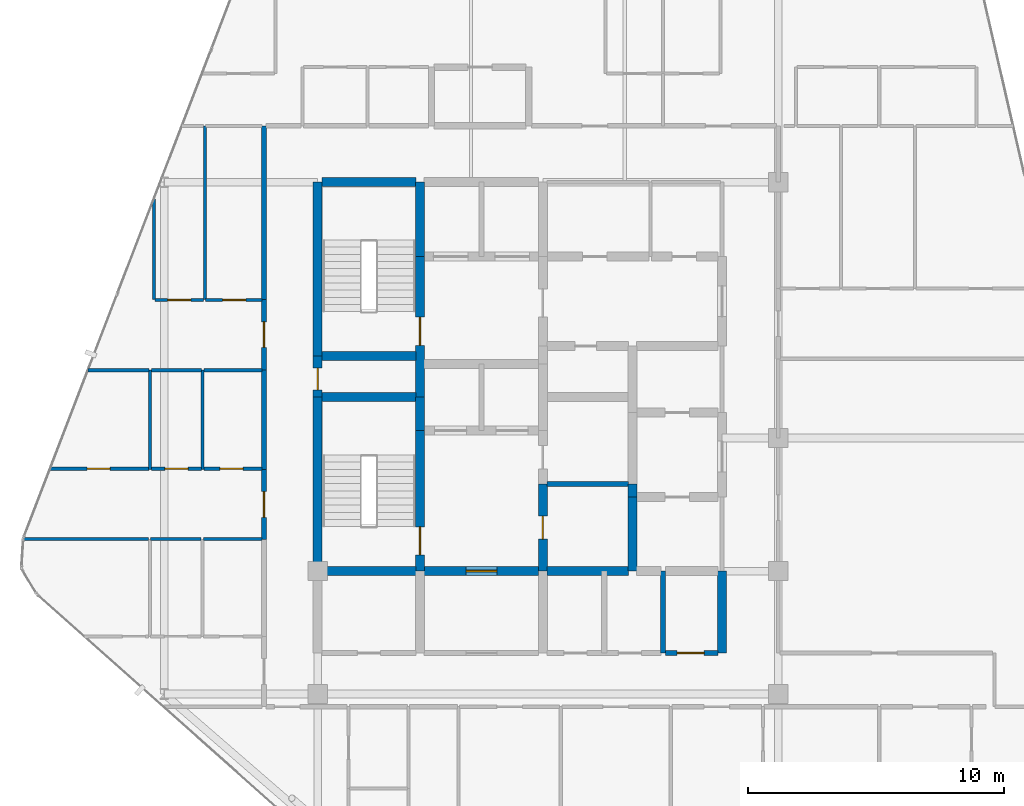
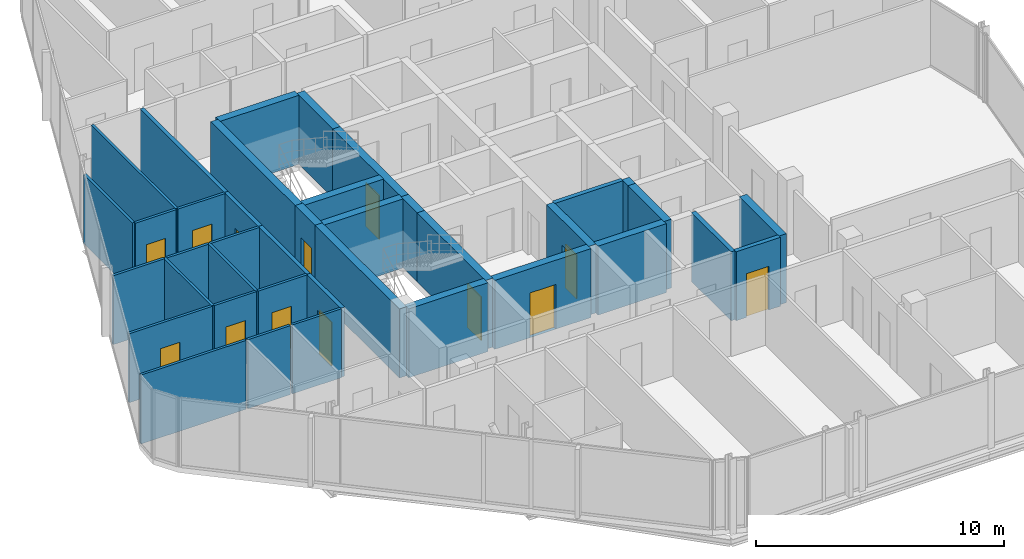
# One storey, part 23 of 27: 39 walls, 13 doors, 13 openings.
"""IFC4 building model written with IfcOpenShell, lengths in metres."""

from ifc_helpers import new_model, si_unit, direction, frame, frame_2d, origin, place, context, subcontext, project, spatial, rectangle, extrude, material, layer, layer_set, type_object, element, fill, save


model = new_model("IFC4")

# Units and contexts
model_context = context("Model", 3, precision=1e-05, world=origin(), true_north=direction((0.0, 1.0)))
body_context = subcontext(model_context, "Body", "Model", "MODEL_VIEW")
ifc_project = project(units=[si_unit("LENGTHUNIT", "METRE"), si_unit("AREAUNIT", "SQUARE_METRE"), si_unit("VOLUMEUNIT", "CUBIC_METRE"), si_unit("PLANEANGLEUNIT", "RADIAN"), si_unit("MASSUNIT", "GRAM", prefix="KILO")], contexts=[model_context])

# Site, building, storey
site_placement = place(None, origin())
site = spatial("IfcSite", under=ifc_project, at=site_placement, CompositionType="ELEMENT")
building_placement = place(site_placement, origin())
building = spatial("IfcBuilding", under=site, at=building_placement, Name="Keshet Zoharim Tower", CompositionType="ELEMENT")
storey_placement = place(building_placement, frame((0.0, 0.0, 273.199951171875)))
storey = spatial("IfcBuildingStorey", under=building, at=storey_placement, Name="L68", CompositionType="ELEMENT", Elevation=273.199951171875)

# Wall
ifc_material_1 = material(Name="Concrete C60/75", Category="concrete")
ifc_layer_1 = layer(ifc_material_1, 0.35009765625)
ifc_layer_set_1 = layer_set([ifc_layer_1], Name="Concrete C60/75")
wall_type_1 = type_object("IfcWallType", Name="WL-CORE-350", PredefinedType="SHEAR", material=ifc_layer_set_1)
wall_1_placement = place(storey_placement, frame((15.0, 22.699951171875, 0.0), z_axis=(0.0, 0.0, 1.0), x_axis=(0.0, 1.0, 0.0)))
element("IfcWall", 1, at=wall_1_placement, inside=storey, type_object=wall_type_1, Name="L68 Core Shear Wall 017", PredefinedType="SHEAR", context=body_context, shape_type="SweptSolid", body=[
    extrude(rectangle(XDim=6.800048828125, YDim=0.35009765625, at=frame_2d((3.39990234375, 0.0))), origin(), (0.0, 0.0, 1.0), 3.39013671875),
])

# Wall, opening, door
wall_2_placement = place(storey_placement, frame((15.0, 29.5, 0.0), z_axis=(0.0, 0.0, 1.0), x_axis=(0.0, 1.0, 0.0)))
wall_2 = element("IfcWall", 2, at=wall_2_placement, inside=storey, type_object=wall_type_1, Name="L68 Core Shear Wall 018", PredefinedType="SHEAR", context=body_context, shape_type="SweptSolid", body=[
    extrude(rectangle(XDim=1.60009765625, YDim=0.35009765625, at=frame_2d((0.800048828125, 0.0))), origin(), (0.0, 0.0, 1.0), 3.39013671875),
])
opening_1_placement = place(wall_2_placement, frame((0.287109375, 0.0, 0.0)))
opening_1 = element("IfcOpeningElement", 3, at=opening_1_placement, cuts=wall_2, Name="Opening D-RS85", PredefinedType="OPENING", context=body_context, shape_type="SweptSolid", body=[
    extrude(rectangle(XDim=0.85009765625, YDim=2.10009765625, at=frame_2d((0.425048828125, 1.050048828125))), frame((0.0, 0.18505859375, 0.0), z_axis=(0.0, -1.0, 0.0), x_axis=(1.0, 0.0, 0.0)), (0.0, 0.0, 1.0), 0.3701171875),
])
ifc_material_2 = material(Name="Hardwood Timber", Category="wood")
door_type_1 = type_object("IfcDoorType", Name="DR-RIS-085", OperationType="NOTDEFINED", PredefinedType="DOOR", material=ifc_material_2)
door_1_placement = place(opening_1_placement, origin())
door_1 = element("IfcDoor", 4, at=door_1_placement, inside=storey, type_object=door_type_1, Name="L68 Electrical Riser Access Cupboard Door", OperationType="SINGLE_SWING_LEFT", OverallHeight=2.10009765625, OverallWidth=0.85009765625, PredefinedType="DOOR", context=body_context, shape_type="SweptSolid", body=[
    extrude(rectangle(XDim=0.85009765625, YDim=2.10009765625, at=frame_2d((0.425048828125, 1.050048828125))), frame((0.0, 0.02490234375, 0.0), z_axis=(0.0, -1.0, 0.0), x_axis=(1.0, 0.0, 0.0)), (0.0, 0.0, 1.0), 0.050048828125),
])
fill(opening_1, door_1)

# Wall
wall_3_placement = place(storey_placement, frame((15.0, 31.10009765625, 0.0), z_axis=(0.0, 0.0, 1.0), x_axis=(0.0, 1.0, 0.0)))
element("IfcWall", 5, at=wall_3_placement, inside=storey, type_object=wall_type_1, Name="L68 Core Shear Wall 019", PredefinedType="SHEAR", context=body_context, shape_type="SweptSolid", body=[
    extrude(rectangle(XDim=6.7998046875, YDim=0.35009765625, at=frame_2d((3.39990234375, 0.0))), origin(), (0.0, 0.0, 1.0), 3.39013671875),
])

# Wall, opening, door
wall_4_placement = place(storey_placement, frame((19.0, 22.699951171875, 0.0), z_axis=(0.0, 0.0, 1.0), x_axis=(0.0, 1.0, 0.0)))
wall_4 = element("IfcWall", 6, at=wall_4_placement, inside=storey, type_object=wall_type_1, Name="L68 Core Shear Wall 027", PredefinedType="SHEAR", context=body_context, shape_type="SweptSolid", body=[
    extrude(rectangle(XDim=5.5, YDim=0.35009765625, at=frame_2d((2.75, 0.0))), origin(), (0.0, 0.0, 1.0), 3.39013671875),
])
opening_2_placement = place(wall_4_placement, frame((0.631103515625, 0.0, 0.0)))
opening_2 = element("IfcOpeningElement", 7, at=opening_2_placement, cuts=wall_4, Name="Opening D-F611", PredefinedType="OPENING", context=body_context, shape_type="SweptSolid", body=[
    extrude(rectangle(XDim=1.10009765625, YDim=2.14990234375, at=frame_2d((0.550048828125, 1.074951171875))), frame((0.0, 0.18505859375, 0.0), z_axis=(0.0, -1.0, 0.0), x_axis=(1.0, 0.0, 0.0)), (0.0, 0.0, 1.0), 0.3701171875),
])
door_type_2 = type_object("IfcDoorType", Name="DR-FD60-110", OperationType="NOTDEFINED", PredefinedType="DOOR", material=ifc_material_2)
door_2_placement = place(opening_2_placement, origin())
door_2 = element("IfcDoor", 8, at=door_2_placement, inside=storey, type_object=door_type_2, Name="L68 Exit Stair ST-01 Fire Door", OperationType="SINGLE_SWING_RIGHT", OverallHeight=2.14990234375, OverallWidth=1.10009765625, PredefinedType="DOOR", context=body_context, shape_type="SweptSolid", body=[
    extrude(rectangle(XDim=1.10009765625, YDim=2.14990234375, at=frame_2d((0.550048828125, 1.074951171875))), frame((0.0, 0.02490234375, 0.0), z_axis=(0.0, -1.0, 0.0), x_axis=(1.0, 0.0, 0.0)), (0.0, 0.0, 1.0), 0.050048828125),
])
fill(opening_2, door_2)

# Wall
wall_5_placement = place(storey_placement, frame((19.0, 28.199951171875, 0.0), z_axis=(0.0, 0.0, 1.0), x_axis=(0.0, 1.0, 0.0)))
element("IfcWall", 9, at=wall_5_placement, inside=storey, type_object=wall_type_1, Name="L68 Core Shear Wall 028", PredefinedType="SHEAR", context=body_context, shape_type="SweptSolid", body=[
    extrude(rectangle(XDim=1.300048828125, YDim=0.35009765625, at=frame_2d((0.64990234375, 0.0))), origin(), (0.0, 0.0, 1.0), 3.39013671875),
])

# Wall, opening, door
wall_6_placement = place(storey_placement, frame((19.0, 29.5, 0.0), z_axis=(0.0, 0.0, 1.0), x_axis=(0.0, 1.0, 0.0)))
wall_6 = element("IfcWall", 10, at=wall_6_placement, inside=storey, type_object=wall_type_1, Name="L68 Core Shear Wall 029", PredefinedType="SHEAR", context=body_context, shape_type="SweptSolid", body=[
    extrude(rectangle(XDim=5.5, YDim=0.35009765625, at=frame_2d((2.75, 0.0))), origin(), (0.0, 0.0, 1.0), 3.39013671875),
])
opening_3_placement = place(wall_6_placement, frame((2.02490234375, 0.0, 0.0)))
opening_3 = element("IfcOpeningElement", 11, at=opening_3_placement, cuts=wall_6, Name="Opening D-F611", PredefinedType="OPENING", context=body_context, shape_type="SweptSolid", body=[
    extrude(rectangle(XDim=1.10009765625, YDim=2.14990234375, at=frame_2d((0.550048828125, 1.074951171875))), frame((0.0, 0.18505859375, 0.0), z_axis=(0.0, -1.0, 0.0), x_axis=(1.0, 0.0, 0.0)), (0.0, 0.0, 1.0), 0.3701171875),
])
door_3_placement = place(opening_3_placement, origin())
door_3 = element("IfcDoor", 12, at=door_3_placement, inside=storey, type_object=door_type_2, Name="L68 Exit Stair ST-02 Fire Door", OperationType="SINGLE_SWING_LEFT", OverallHeight=2.14990234375, OverallWidth=1.10009765625, PredefinedType="DOOR", context=body_context, shape_type="SweptSolid", body=[
    extrude(rectangle(XDim=1.10009765625, YDim=2.14990234375, at=frame_2d((0.550048828125, 1.074951171875))), frame((0.0, 0.02490234375, 0.0), z_axis=(0.0, -1.0, 0.0), x_axis=(1.0, 0.0, 0.0)), (0.0, 0.0, 1.0), 0.050048828125),
])
fill(opening_3, door_3)

# Wall
wall_7_placement = place(storey_placement, frame((19.0, 35.0, 0.0), z_axis=(0.0, 0.0, 1.0), x_axis=(0.0, 1.0, 0.0)))
element("IfcWall", 13, at=wall_7_placement, inside=storey, type_object=wall_type_1, Name="L68 Core Shear Wall 030", PredefinedType="SHEAR", context=body_context, shape_type="SweptSolid", body=[
    extrude(rectangle(XDim=2.89990234375, YDim=0.35009765625, at=frame_2d((1.449951171875, 0.0))), origin(), (0.0, 0.0, 1.0), 3.39013671875),
])

# Wall, opening, door
wall_8_placement = place(storey_placement, frame((23.800048828125, 22.699951171875, 0.0), z_axis=(0.0, 0.0, 1.0), x_axis=(0.0, 1.0, 0.0)))
wall_8 = element("IfcWall", 14, at=wall_8_placement, inside=storey, type_object=wall_type_1, Name="L68 Core Shear Wall 040", PredefinedType="SHEAR", context=body_context, shape_type="SweptSolid", body=[
    extrude(rectangle(XDim=3.400146484375, YDim=0.35009765625, at=frame_2d((1.7001953125, 0.0))), origin(), (0.0, 0.0, 1.0), 3.39013671875),
])
opening_4_placement = place(wall_8_placement, frame((1.25, 0.0, 0.0)))
opening_4 = element("IfcOpeningElement", 15, at=opening_4_placement, cuts=wall_8, Name="Opening D-F690", PredefinedType="OPENING", context=body_context, shape_type="SweptSolid", body=[
    extrude(rectangle(XDim=0.89990234375, YDim=2.14990234375, at=frame_2d((0.449951171875, 1.074951171875))), frame((0.0, 0.18505859375, 0.0), z_axis=(0.0, -1.0, 0.0), x_axis=(1.0, 0.0, 0.0)), (0.0, 0.0, 1.0), 0.3701171875),
])
door_type_3 = type_object("IfcDoorType", Name="DR-FD60-090", OperationType="NOTDEFINED", PredefinedType="DOOR", material=ifc_material_2)
door_4_placement = place(opening_4_placement, origin())
door_4 = element("IfcDoor", 16, at=door_4_placement, inside=storey, type_object=door_type_3, Name="L68 Core Linen Store Door", OperationType="SINGLE_SWING_RIGHT", OverallHeight=2.14990234375, OverallWidth=0.89990234375, PredefinedType="DOOR", context=body_context, shape_type="SweptSolid", body=[
    extrude(rectangle(XDim=0.89990234375, YDim=2.14990234375, at=frame_2d((0.449951171875, 1.074951171875))), frame((0.0, 0.02490234375, 0.0), z_axis=(0.0, -1.0, 0.0), x_axis=(1.0, 0.0, 0.0)), (0.0, 0.0, 1.0), 0.050048828125),
])
fill(opening_4, door_4)

# Walls
wall_9_placement = place(storey_placement, frame((27.300048828125, 22.699951171875, 0.0), z_axis=(0.0, 0.0, 1.0), x_axis=(0.0, 1.0, 0.0)))
element("IfcWall", 17, at=wall_9_placement, inside=storey, type_object=wall_type_1, Name="L68 Core Shear Wall 049", PredefinedType="SHEAR", context=body_context, shape_type="SweptSolid", body=[
    extrude(rectangle(XDim=2.900146484375, YDim=0.35009765625, at=frame_2d((1.4501953125, 0.0))), origin(), (0.0, 0.0, 1.0), 3.39013671875),
])
wall_10_placement = place(storey_placement, frame((27.300048828125, 25.60009765625, 0.0), z_axis=(0.0, 0.0, 1.0), x_axis=(0.0, 1.0, 0.0)))
element("IfcWall", 18, at=wall_10_placement, inside=storey, type_object=wall_type_1, Name="L68 Core Shear Wall 050", PredefinedType="SHEAR", context=body_context, shape_type="SweptSolid", body=[
    extrude(rectangle(XDim=0.5, YDim=0.35009765625, at=frame_2d((0.25, 0.0))), origin(), (0.0, 0.0, 1.0), 3.39013671875),
])
wall_11_placement = place(storey_placement, frame((30.800048828125, 19.5, 0.0), z_axis=(0.0, 0.0, 1.0), x_axis=(0.0, 1.0, 0.0)))
element("IfcWall", 19, at=wall_11_placement, inside=storey, type_object=wall_type_1, Name="L68 Core Shear Wall 059", PredefinedType="SHEAR", context=body_context, shape_type="SweptSolid", body=[
    extrude(rectangle(XDim=3.199951171875, YDim=0.35009765625, at=frame_2d((1.60009765625, 0.0))), origin(), (0.0, 0.0, 1.0), 3.39013671875),
])
wall_12_placement = place(storey_placement, frame((15.159912109375, 22.699951171875, 0.0), z_axis=(0.0, 0.0, 1.0), x_axis=(1.0, 0.0, 0.0)))
element("IfcWall", 20, at=wall_12_placement, inside=storey, type_object=wall_type_1, Name="L68 Core Shear Wall 111", PredefinedType="SHEAR", context=body_context, shape_type="SweptSolid", body=[
    extrude(rectangle(XDim=3.68017578125, YDim=0.35009765625, at=frame_2d((1.840087890625, 0.0))), origin(), (0.0, 0.0, 1.0), 3.39013671875),
])

# Wall, opening, door
wall_13_placement = place(storey_placement, frame((19.159912109375, 22.699951171875, 0.0), z_axis=(0.0, 0.0, 1.0), x_axis=(1.0, 0.0, 0.0)))
wall_13 = element("IfcWall", 21, at=wall_13_placement, inside=storey, type_object=wall_type_1, Name="L68 Core Shear Wall 112", PredefinedType="SHEAR", context=body_context, shape_type="SweptSolid", body=[
    extrude(rectangle(XDim=4.47998046875, YDim=0.35009765625, at=frame_2d((2.239990234375, 0.0))), origin(), (0.0, 0.0, 1.0), 3.39013671875),
])
opening_5_placement = place(wall_13_placement, frame((1.639892578125, 0.0, 0.0)))
opening_5 = element("IfcOpeningElement", 22, at=opening_5_placement, cuts=wall_13, Name="Opening D-F612", PredefinedType="OPENING", context=body_context, shape_type="SweptSolid", body=[
    extrude(rectangle(XDim=1.199951171875, YDim=2.199951171875, at=frame_2d((0.60009765625, 1.10009765625))), frame((0.0, 0.18505859375, 0.0), z_axis=(0.0, -1.0, 0.0), x_axis=(1.0, 0.0, 0.0)), (0.0, 0.0, 1.0), 0.3701171875),
])
door_type_4 = type_object("IfcDoorType", Name="DR-FD60-120", OperationType="NOTDEFINED", PredefinedType="DOOR", material=ifc_material_2)
door_5_placement = place(opening_5_placement, origin())
door_5 = element("IfcDoor", 23, at=door_5_placement, inside=storey, type_object=door_type_4, Name="L68 South Core Lobby Fire Door", OperationType="SINGLE_SWING_LEFT", OverallHeight=2.199951171875, OverallWidth=1.199951171875, PredefinedType="DOOR", context=body_context, shape_type="SweptSolid", body=[
    extrude(rectangle(XDim=1.199951171875, YDim=2.199951171875, at=frame_2d((0.60009765625, 1.10009765625))), frame((0.0, 0.02490234375, 0.0), z_axis=(0.0, -1.0, 0.0), x_axis=(1.0, 0.0, 0.0)), (0.0, 0.0, 1.0), 0.050048828125),
])
fill(opening_5, door_5)

# Walls
wall_14_placement = place(storey_placement, frame((23.9599609375, 22.699951171875, 0.0), z_axis=(0.0, 0.0, 1.0), x_axis=(1.0, 0.0, 0.0)))
element("IfcWall", 24, at=wall_14_placement, inside=storey, type_object=wall_type_1, Name="L68 Core Shear Wall 113", PredefinedType="SHEAR", context=body_context, shape_type="SweptSolid", body=[
    extrude(rectangle(XDim=3.179931640625, YDim=0.35009765625, at=frame_2d((1.58984375, 0.0))), origin(), (0.0, 0.0, 1.0), 3.39013671875),
])
for number, where, z_axis, x_axis, name in (
    (25, (15.159912109375, 29.5, 0.0), (0.0, 0.0, 1.0), (1.0, 0.0, 0.0), "L68 Core Shear Wall 126"),
    (26, (15.159912109375, 31.10009765625, 0.0), (0.0, 0.0, 1.0), (1.0, 0.0, 0.0), "L68 Core Shear Wall 133"),
    (27, (15.159912109375, 37.89990234375, 0.0), (0.0, 0.0, 1.0), (1.0, 0.0, 0.0), "L68 Core Shear Wall 144"),
):
    element("IfcWall", number, at=place(storey_placement, frame(where, z_axis=z_axis, x_axis=x_axis)), inside=storey, type_object=wall_type_1, Name=name, PredefinedType="SHEAR", context=body_context, shape_type="SweptSolid", body=[
        extrude(rectangle(XDim=3.68017578125, YDim=0.35009765625, at=frame_2d((1.840087890625, 0.0))), origin(), (0.0, 0.0, 1.0), 3.39013671875),
    ])

# Wall, opening, door
ifc_material_3 = material(Name="Gypsum Plasterboard", Category="gypsum")
ifc_layer_2 = layer(ifc_material_3, 0.179931640625)
ifc_layer_set_2 = layer_set([ifc_layer_2], Name="Gypsum Plasterboard")
wall_type_2 = type_object("IfcWallType", Name="WL-CORR-180", PredefinedType="STANDARD", material=ifc_layer_set_2)
wall_15_placement = place(storey_placement, frame((12.89990234375, 23.929931640625, 0.0), z_axis=(0.0, 0.0, 1.0), x_axis=(0.0, 1.0, 0.0)))
wall_15 = element("IfcWall", 28, at=wall_15_placement, inside=storey, type_object=wall_type_2, Name="L68 Interior Wall 009", PredefinedType="STANDARD", context=body_context, shape_type="SweptSolid", body=[
    extrude(rectangle(XDim=2.75, YDim=0.179931640625, at=frame_2d((1.375, 0.0))), origin(), (0.0, 0.0, 1.0), 3.39013671875),
])
opening_6_placement = place(wall_15_placement, frame((0.875, 0.0, 0.0)))
opening_6 = element("IfcOpeningElement", 29, at=opening_6_placement, cuts=wall_15, Name="Opening D-F310", PredefinedType="OPENING", context=body_context, shape_type="SweptSolid", body=[
    extrude(rectangle(XDim=1.0, YDim=2.14990234375, at=frame_2d((0.5, 1.074951171875))), frame((0.0, 0.10009765625, 0.0), z_axis=(0.0, -1.0, 0.0), x_axis=(1.0, 0.0, 0.0)), (0.0, 0.0, 1.0), 0.199951171875),
])
door_type_5 = type_object("IfcDoorType", Name="DR-FD30-100", OperationType="NOTDEFINED", PredefinedType="DOOR", material=ifc_material_2)
door_6_placement = place(opening_6_placement, origin())
door_6 = element("IfcDoor", 30, at=door_6_placement, inside=storey, type_object=door_type_5, Name="Apartment 6807 Entrance Door", OperationType="SINGLE_SWING_LEFT", OverallHeight=2.14990234375, OverallWidth=1.0, PredefinedType="DOOR", context=body_context, shape_type="SweptSolid", body=[
    extrude(rectangle(XDim=1.0, YDim=2.14990234375, at=frame_2d((0.5, 1.074951171875))), frame((0.0, 0.02490234375, 0.0), z_axis=(0.0, -1.0, 0.0), x_axis=(1.0, 0.0, 0.0)), (0.0, 0.0, 1.0), 0.050048828125),
])
fill(opening_6, door_6)

# Wall
wall_16_placement = place(storey_placement, frame((12.89990234375, 26.679931640625, 0.0), z_axis=(0.0, 0.0, 1.0), x_axis=(0.0, 1.0, 0.0)))
element("IfcWall", 31, at=wall_16_placement, inside=storey, type_object=wall_type_2, Name="L68 Interior Wall 010", PredefinedType="STANDARD", context=body_context, shape_type="SweptSolid", body=[
    extrude(rectangle(XDim=3.89013671875, YDim=0.179931640625, at=frame_2d((1.945068359375, 0.0))), origin(), (0.0, 0.0, 1.0), 3.39013671875),
])

# Wall, opening, door
wall_17_placement = place(storey_placement, frame((12.89990234375, 30.570068359375, 0.0), z_axis=(0.0, 0.0, 1.0), x_axis=(0.0, 1.0, 0.0)))
wall_17 = element("IfcWall", 32, at=wall_17_placement, inside=storey, type_object=wall_type_2, Name="L68 Interior Wall 011", PredefinedType="STANDARD", context=body_context, shape_type="SweptSolid", body=[
    extrude(rectangle(XDim=2.75, YDim=0.179931640625, at=frame_2d((1.375, 0.0))), origin(), (0.0, 0.0, 1.0), 3.39013671875),
])
opening_7_placement = place(wall_17_placement, frame((0.875, 0.0, 0.0)))
opening_7 = element("IfcOpeningElement", 33, at=opening_7_placement, cuts=wall_17, Name="Opening D-F310", PredefinedType="OPENING", context=body_context, shape_type="SweptSolid", body=[
    extrude(rectangle(XDim=1.0, YDim=2.14990234375, at=frame_2d((0.5, 1.074951171875))), frame((0.0, 0.10009765625, 0.0), z_axis=(0.0, -1.0, 0.0), x_axis=(1.0, 0.0, 0.0)), (0.0, 0.0, 1.0), 0.199951171875),
])
door_7_placement = place(opening_7_placement, origin())
door_7 = element("IfcDoor", 34, at=door_7_placement, inside=storey, type_object=door_type_5, Name="Apartment 6808 Entrance Door", OperationType="SINGLE_SWING_RIGHT", OverallHeight=2.14990234375, OverallWidth=1.0, PredefinedType="DOOR", context=body_context, shape_type="SweptSolid", body=[
    extrude(rectangle(XDim=1.0, YDim=2.14990234375, at=frame_2d((0.5, 1.074951171875))), frame((0.0, 0.02490234375, 0.0), z_axis=(0.0, -1.0, 0.0), x_axis=(1.0, 0.0, 0.0)), (0.0, 0.0, 1.0), 0.050048828125),
])
fill(opening_7, door_7)

# Walls
wall_18_placement = place(storey_placement, frame((12.89990234375, 33.320068359375, 0.0), z_axis=(0.0, 0.0, 1.0), x_axis=(0.0, 1.0, 0.0)))
element("IfcWall", 35, at=wall_18_placement, inside=storey, type_object=wall_type_2, Name="L68 Interior Wall 012", PredefinedType="STANDARD", context=body_context, shape_type="SweptSolid", body=[
    extrude(rectangle(XDim=6.780029296875, YDim=0.179931640625, at=frame_2d((3.39013671875, 0.0))), origin(), (0.0, 0.0, 1.0), 3.39013671875),
])
ifc_material_4 = material(Name="Concrete C50/60", Category="concrete")
ifc_layer_3 = layer(ifc_material_4, 0.199951171875)
ifc_layer_set_3 = layer_set([ifc_layer_3], Name="Concrete C50/60")
wall_type_3 = type_object("IfcWallType", Name="WL-FIRE-200", PredefinedType="STANDARD", material=ifc_layer_set_3)
wall_19_placement = place(storey_placement, frame((28.5, 19.5, 0.0), z_axis=(0.0, 0.0, 1.0), x_axis=(0.0, 1.0, 0.0)))
element("IfcWall", 36, at=wall_19_placement, inside=storey, type_object=wall_type_3, Name="L68 Interior Wall 054", PredefinedType="STANDARD", context=body_context, shape_type="SweptSolid", body=[
    extrude(rectangle(XDim=3.199951171875, YDim=0.199951171875, at=frame_2d((1.60009765625, 0.0))), origin(), (0.0, 0.0, 1.0), 3.39013671875),
])

# Wall, opening, door
wall_20_placement = place(storey_placement, frame((28.5849609375, 19.5, 0.0), z_axis=(0.0, 0.0, 1.0), x_axis=(1.0, 0.0, 0.0)))
wall_20 = element("IfcWall", 37, at=wall_20_placement, inside=storey, type_object=wall_type_3, Name="L68 Interior Wall 106", PredefinedType="STANDARD", context=body_context, shape_type="SweptSolid", body=[
    extrude(rectangle(XDim=2.054931640625, YDim=0.199951171875, at=frame_2d((1.02734375, 0.0))), origin(), (0.0, 0.0, 1.0), 3.39013671875),
])
opening_8_placement = place(wall_20_placement, frame((0.466064453125, 0.0, 0.0)))
opening_8 = element("IfcOpeningElement", 38, at=opening_8_placement, cuts=wall_20, Name="Opening D-AC10", PredefinedType="OPENING", context=body_context, shape_type="SweptSolid", body=[
    extrude(rectangle(XDim=1.050048828125, YDim=2.14990234375, at=frame_2d((0.52490234375, 1.074951171875))), frame((0.0, 0.10986328125, 0.0), z_axis=(0.0, -1.0, 0.0), x_axis=(1.0, 0.0, 0.0)), (0.0, 0.0, 1.0), 0.219970703125),
])
door_type_6 = type_object("IfcDoorType", Name="DR-ACC-105", OperationType="NOTDEFINED", PredefinedType="DOOR", material=ifc_material_2)
door_8_placement = place(opening_8_placement, origin())
door_8 = element("IfcDoor", 39, at=door_8_placement, inside=storey, type_object=door_type_6, Name="L68 Accessible WC Door", OperationType="SINGLE_SWING_RIGHT", OverallHeight=2.14990234375, OverallWidth=1.050048828125, PredefinedType="DOOR", context=body_context, shape_type="SweptSolid", body=[
    extrude(rectangle(XDim=1.050048828125, YDim=2.14990234375, at=frame_2d((0.52490234375, 1.074951171875))), frame((0.0, 0.02490234375, 0.0), z_axis=(0.0, -1.0, 0.0), x_axis=(1.0, 0.0, 0.0)), (0.0, 0.0, 1.0), 0.050048828125),
])
fill(opening_8, door_8)

# Walls
wall_21_placement = place(storey_placement, frame((23.9599609375, 26.10009765625, 0.0), z_axis=(0.0, 0.0, 1.0), x_axis=(1.0, 0.0, 0.0)))
element("IfcWall", 40, at=wall_21_placement, inside=storey, type_object=wall_type_3, Name="L68 Interior Wall 120", PredefinedType="STANDARD", context=body_context, shape_type="SweptSolid", body=[
    extrude(rectangle(XDim=3.179931640625, YDim=0.199951171875, at=frame_2d((1.58984375, 0.0))), origin(), (0.0, 0.0, 1.0), 3.39013671875),
])
ifc_layer_4 = layer(ifc_material_3, 0.1201171875)
ifc_layer_set_4 = layer_set([ifc_layer_4], Name="Gypsum Plasterboard")
wall_type_4 = type_object("IfcWallType", Name="WL-PART-120", PredefinedType="PARTITIONING", material=ifc_layer_set_4)
wall_22_placement = place(storey_placement, frame((8.449951171875, 26.679931640625, 0.0), z_axis=(0.0, 0.0, 1.0), x_axis=(0.0, 1.0, 0.0)))
element("IfcWall", 41, at=wall_22_placement, inside=storey, type_object=wall_type_4, Name="L68 Interior Wall 002", PredefinedType="PARTITIONING", context=body_context, shape_type="SweptSolid", body=[
    extrude(rectangle(XDim=3.89013671875, YDim=0.1201171875, at=frame_2d((1.945068359375, 0.0))), origin(), (0.0, 0.0, 1.0), 3.39013671875),
])
wall_23_placement = place(storey_placement, frame((8.60009765625, 33.320068359375, 0.0), z_axis=(0.0, 0.0, 1.0), x_axis=(0.0, 1.0, 0.0)))
element("IfcWall", 42, at=wall_23_placement, inside=storey, type_object=wall_type_4, Name="L68 Interior Wall 003", PredefinedType="PARTITIONING", context=body_context, shape_type="SweptSolid", body=[
    extrude(rectangle(XDim=3.929931640625, YDim=0.1201171875, at=frame_2d((1.96484375, 0.0))), origin(), (0.0, 0.0, 1.0), 3.39013671875),
])
wall_24_placement = place(storey_placement, frame((3.50390625, 23.949951171875, 0.0), z_axis=(0.0, 0.0, 1.0), x_axis=(1.0, 0.0, 0.0)))
element("IfcWall", 43, at=wall_24_placement, inside=storey, type_object=wall_type_4, Name="L68 Interior Wall 116", PredefinedType="PARTITIONING", context=body_context, shape_type="SweptSolid", body=[
    extrude(rectangle(XDim=4.879150390625, YDim=0.1201171875, at=frame_2d((2.439453125, 0.0))), origin(), (0.0, 0.0, 1.0), 3.39013671875),
])
wall_25_placement = place(storey_placement, frame((8.472900390625, 23.949951171875, 0.0), z_axis=(0.0, 0.0, 1.0), x_axis=(1.0, 0.0, 0.0)))
element("IfcWall", 44, at=wall_25_placement, inside=storey, type_object=wall_type_4, Name="L68 Interior Wall 117", PredefinedType="PARTITIONING", context=body_context, shape_type="SweptSolid", body=[
    extrude(rectangle(XDim=1.967041015625, YDim=0.1201171875, at=frame_2d((0.9833984375, 0.0))), origin(), (0.0, 0.0, 1.0), 3.39013671875),
])

# Wall, opening, door
wall_26_placement = place(storey_placement, frame((4.548095703125, 26.699951171875, 0.0), z_axis=(0.0, 0.0, 1.0), x_axis=(1.0, 0.0, 0.0)))
wall_26 = element("IfcWall", 45, at=wall_26_placement, inside=storey, type_object=wall_type_4, Name="L68 Interior Wall 121", PredefinedType="PARTITIONING", context=body_context, shape_type="SweptSolid", body=[
    extrude(rectangle(XDim=3.867919921875, YDim=0.1201171875, at=frame_2d((1.93408203125, 0.0))), origin(), (0.0, 0.0, 1.0), 3.39013671875),
])
opening_9_placement = place(wall_26_placement, frame((1.43798828125, 0.0, 0.0)))
opening_9 = element("IfcOpeningElement", 46, at=opening_9_placement, cuts=wall_26, Name="Opening D-IN90", PredefinedType="OPENING", context=body_context, shape_type="SweptSolid", body=[
    extrude(rectangle(XDim=0.89990234375, YDim=2.14990234375, at=frame_2d((0.449951171875, 1.074951171875))), frame((0.0, 0.070068359375, 0.0), z_axis=(0.0, -1.0, 0.0), x_axis=(1.0, 0.0, 0.0)), (0.0, 0.0, 1.0), 0.14013671875),
])
door_type_7 = type_object("IfcDoorType", Name="DR-INT-090", OperationType="NOTDEFINED", PredefinedType="DOOR", material=ifc_material_2)
door_9_placement = place(opening_9_placement, origin())
door_9 = element("IfcDoor", 47, at=door_9_placement, inside=storey, type_object=door_type_7, Name="Apartment 6807 Bedroom 1 Door", OperationType="SINGLE_SWING_LEFT", OverallHeight=2.14990234375, OverallWidth=0.89990234375, PredefinedType="DOOR", context=body_context, shape_type="SweptSolid", body=[
    extrude(rectangle(XDim=0.89990234375, YDim=2.14990234375, at=frame_2d((0.449951171875, 1.074951171875))), frame((0.0, 0.02490234375, 0.0), z_axis=(0.0, -1.0, 0.0), x_axis=(1.0, 0.0, 0.0)), (0.0, 0.0, 1.0), 0.050048828125),
])
fill(opening_9, door_9)

wall_27_placement = place(storey_placement, frame((8.506103515625, 26.699951171875, 0.0), z_axis=(0.0, 0.0, 1.0), x_axis=(1.0, 0.0, 0.0)))
wall_27 = element("IfcWall", 48, at=wall_27_placement, inside=storey, type_object=wall_type_4, Name="L68 Interior Wall 122", PredefinedType="PARTITIONING", context=body_context, shape_type="SweptSolid", body=[
    extrude(rectangle(XDim=1.951904296875, YDim=0.1201171875, at=frame_2d((0.97607421875, 0.0))), origin(), (0.0, 0.0, 1.0), 3.39013671875),
])
opening_10_placement = place(wall_27_placement, frame((0.52587890625, 0.0, 0.0)))
opening_10 = element("IfcOpeningElement", 49, at=opening_10_placement, cuts=wall_27, Name="Opening D-IN90", PredefinedType="OPENING", context=body_context, shape_type="SweptSolid", body=[
    extrude(rectangle(XDim=0.89990234375, YDim=2.14990234375, at=frame_2d((0.449951171875, 1.074951171875))), frame((0.0, 0.070068359375, 0.0), z_axis=(0.0, -1.0, 0.0), x_axis=(1.0, 0.0, 0.0)), (0.0, 0.0, 1.0), 0.14013671875),
])
door_10_placement = place(opening_10_placement, origin())
door_10 = element("IfcDoor", 50, at=door_10_placement, inside=storey, type_object=door_type_7, Name="Apartment 6807 Kitchen Door", OperationType="SINGLE_SWING_RIGHT", OverallHeight=2.14990234375, OverallWidth=0.89990234375, PredefinedType="DOOR", context=body_context, shape_type="SweptSolid", body=[
    extrude(rectangle(XDim=0.89990234375, YDim=2.14990234375, at=frame_2d((0.449951171875, 1.074951171875))), frame((0.0, 0.02490234375, 0.0), z_axis=(0.0, -1.0, 0.0), x_axis=(1.0, 0.0, 0.0)), (0.0, 0.0, 1.0), 0.050048828125),
])
fill(opening_10, door_10)

# Walls
wall_28_placement = place(storey_placement, frame((6.029052734375, 30.550048828125, 0.0), z_axis=(0.0, 0.0, 1.0), x_axis=(1.0, 0.0, 0.0)))
element("IfcWall", 51, at=wall_28_placement, inside=storey, type_object=wall_type_4, Name="L68 Interior Wall 128", PredefinedType="PARTITIONING", context=body_context, shape_type="SweptSolid", body=[
    extrude(rectangle(XDim=2.386962890625, YDim=0.1201171875, at=frame_2d((1.193359375, 0.0))), origin(), (0.0, 0.0, 1.0), 3.39013671875),
])
wall_29_placement = place(storey_placement, frame((8.506103515625, 30.550048828125, 0.0), z_axis=(0.0, 0.0, 1.0), x_axis=(1.0, 0.0, 0.0)))
element("IfcWall", 52, at=wall_29_placement, inside=storey, type_object=wall_type_4, Name="L68 Interior Wall 129", PredefinedType="PARTITIONING", context=body_context, shape_type="SweptSolid", body=[
    extrude(rectangle(XDim=1.951904296875, YDim=0.1201171875, at=frame_2d((0.97607421875, 0.0))), origin(), (0.0, 0.0, 1.0), 3.39013671875),
])

# Wall, opening, door
wall_30_placement = place(storey_placement, frame((8.64501953125, 33.300048828125, 0.0), z_axis=(0.0, 0.0, 1.0), x_axis=(1.0, 0.0, 0.0)))
wall_30 = element("IfcWall", 53, at=wall_30_placement, inside=storey, type_object=wall_type_4, Name="L68 Interior Wall 136", PredefinedType="PARTITIONING", context=body_context, shape_type="SweptSolid", body=[
    extrude(rectangle(XDim=1.887939453125, YDim=0.1201171875, at=frame_2d((0.94384765625, 0.0))), origin(), (0.0, 0.0, 1.0), 3.39013671875),
])
opening_11_placement = place(wall_30_placement, frame((0.493896484375, 0.0, 0.0)))
opening_11 = element("IfcOpeningElement", 54, at=opening_11_placement, cuts=wall_30, Name="Opening D-IN90", PredefinedType="OPENING", context=body_context, shape_type="SweptSolid", body=[
    extrude(rectangle(XDim=0.89990234375, YDim=2.14990234375, at=frame_2d((0.449951171875, 1.074951171875))), frame((0.0, 0.070068359375, 0.0), z_axis=(0.0, -1.0, 0.0), x_axis=(1.0, 0.0, 0.0)), (0.0, 0.0, 1.0), 0.14013671875),
])
door_11_placement = place(opening_11_placement, origin())
door_11 = element("IfcDoor", 55, at=door_11_placement, inside=storey, type_object=door_type_7, Name="Apartment 6808 Kitchen Door", OperationType="SINGLE_SWING_RIGHT", OverallHeight=2.14990234375, OverallWidth=0.89990234375, PredefinedType="DOOR", context=body_context, shape_type="SweptSolid", body=[
    extrude(rectangle(XDim=0.89990234375, YDim=2.14990234375, at=frame_2d((0.449951171875, 1.074951171875))), frame((0.0, 0.02490234375, 0.0), z_axis=(0.0, -1.0, 0.0), x_axis=(1.0, 0.0, 0.0)), (0.0, 0.0, 1.0), 0.050048828125),
])
fill(opening_11, door_11)

# Walls
ifc_layer_5 = layer(ifc_material_3, 0.1201171875)
ifc_layer_set_5 = layer_set([ifc_layer_5], Name="Gypsum Plasterboard")
wall_type_5 = type_object("IfcWallType", Name="WL-WET-120", PredefinedType="PARTITIONING", material=ifc_layer_set_5)
wall_31_placement = place(storey_placement, frame((10.5, 26.679931640625, 0.0), z_axis=(0.0, 0.0, 1.0), x_axis=(0.0, 1.0, 0.0)))
element("IfcWall", 56, at=wall_31_placement, inside=storey, type_object=wall_type_5, Name="L68 Interior Wall 005", PredefinedType="PARTITIONING", context=body_context, shape_type="SweptSolid", body=[
    extrude(rectangle(XDim=3.89013671875, YDim=0.1201171875, at=frame_2d((1.945068359375, 0.0))), origin(), (0.0, 0.0, 1.0), 3.39013671875),
])
wall_32_placement = place(storey_placement, frame((10.60009765625, 33.320068359375, 0.0), z_axis=(0.0, 0.0, 1.0), x_axis=(0.0, 1.0, 0.0)))
element("IfcWall", 57, at=wall_32_placement, inside=storey, type_object=wall_type_5, Name="L68 Interior Wall 006", PredefinedType="PARTITIONING", context=body_context, shape_type="SweptSolid", body=[
    extrude(rectangle(XDim=6.780029296875, YDim=0.1201171875, at=frame_2d((3.39013671875, 0.0))), origin(), (0.0, 0.0, 1.0), 3.39013671875),
])
wall_33_placement = place(storey_placement, frame((10.530029296875, 23.949951171875, 0.0), z_axis=(0.0, 0.0, 1.0), x_axis=(1.0, 0.0, 0.0)))
element("IfcWall", 58, at=wall_33_placement, inside=storey, type_object=wall_type_5, Name="L68 Interior Wall 118", PredefinedType="PARTITIONING", context=body_context, shape_type="SweptSolid", body=[
    extrude(rectangle(XDim=2.294921875, YDim=0.1201171875, at=frame_2d((1.1474609375, 0.0))), origin(), (0.0, 0.0, 1.0), 3.39013671875),
])

# Wall, opening, door
wall_34_placement = place(storey_placement, frame((10.548095703125, 26.699951171875, 0.0), z_axis=(0.0, 0.0, 1.0), x_axis=(1.0, 0.0, 0.0)))
wall_34 = element("IfcWall", 59, at=wall_34_placement, inside=storey, type_object=wall_type_5, Name="L68 Interior Wall 123", PredefinedType="PARTITIONING", context=body_context, shape_type="SweptSolid", body=[
    extrude(rectangle(XDim=2.27685546875, YDim=0.1201171875, at=frame_2d((1.138427734375, 0.0))), origin(), (0.0, 0.0, 1.0), 3.39013671875),
])
opening_12_placement = place(wall_34_placement, frame((0.633056640625, 0.0, 0.0)))
opening_12 = element("IfcOpeningElement", 60, at=opening_12_placement, cuts=wall_34, Name="Opening D-WT90", PredefinedType="OPENING", context=body_context, shape_type="SweptSolid", body=[
    extrude(rectangle(XDim=0.89990234375, YDim=2.10009765625, at=frame_2d((0.449951171875, 1.050048828125))), frame((0.0, 0.070068359375, 0.0), z_axis=(0.0, -1.0, 0.0), x_axis=(1.0, 0.0, 0.0)), (0.0, 0.0, 1.0), 0.14013671875),
])
door_type_8 = type_object("IfcDoorType", Name="DR-WET-090", OperationType="NOTDEFINED", PredefinedType="DOOR", material=ifc_material_2)
door_12_placement = place(opening_12_placement, origin())
door_12 = element("IfcDoor", 61, at=door_12_placement, inside=storey, type_object=door_type_8, Name="Apartment 6807 Bathroom Door", OperationType="SINGLE_SWING_LEFT", OverallHeight=2.10009765625, OverallWidth=0.89990234375, PredefinedType="DOOR", context=body_context, shape_type="SweptSolid", body=[
    extrude(rectangle(XDim=0.89990234375, YDim=2.10009765625, at=frame_2d((0.449951171875, 1.050048828125))), frame((0.0, 0.02490234375, 0.0), z_axis=(0.0, -1.0, 0.0), x_axis=(1.0, 0.0, 0.0)), (0.0, 0.0, 1.0), 0.050048828125),
])
fill(opening_12, door_12)

# Wall
wall_35_placement = place(storey_placement, frame((10.548095703125, 30.550048828125, 0.0), z_axis=(0.0, 0.0, 1.0), x_axis=(1.0, 0.0, 0.0)))
element("IfcWall", 62, at=wall_35_placement, inside=storey, type_object=wall_type_5, Name="L68 Interior Wall 130", PredefinedType="PARTITIONING", context=body_context, shape_type="SweptSolid", body=[
    extrude(rectangle(XDim=2.27685546875, YDim=0.1201171875, at=frame_2d((1.138427734375, 0.0))), origin(), (0.0, 0.0, 1.0), 3.39013671875),
])

# Wall, opening, door
wall_36_placement = place(storey_placement, frame((10.623046875, 33.300048828125, 0.0), z_axis=(0.0, 0.0, 1.0), x_axis=(1.0, 0.0, 0.0)))
wall_36 = element("IfcWall", 63, at=wall_36_placement, inside=storey, type_object=wall_type_5, Name="L68 Interior Wall 137", PredefinedType="PARTITIONING", context=body_context, shape_type="SweptSolid", body=[
    extrude(rectangle(XDim=2.201904296875, YDim=0.1201171875, at=frame_2d((1.10107421875, 0.0))), origin(), (0.0, 0.0, 1.0), 3.39013671875),
])
opening_13_placement = place(wall_36_placement, frame((0.666015625, 0.0, 0.0)))
opening_13 = element("IfcOpeningElement", 64, at=opening_13_placement, cuts=wall_36, Name="Opening D-WT90", PredefinedType="OPENING", context=body_context, shape_type="SweptSolid", body=[
    extrude(rectangle(XDim=0.89990234375, YDim=2.10009765625, at=frame_2d((0.449951171875, 1.050048828125))), frame((0.0, 0.070068359375, 0.0), z_axis=(0.0, -1.0, 0.0), x_axis=(1.0, 0.0, 0.0)), (0.0, 0.0, 1.0), 0.14013671875),
])
door_13_placement = place(opening_13_placement, origin())
door_13 = element("IfcDoor", 65, at=door_13_placement, inside=storey, type_object=door_type_8, Name="Apartment 6808 Bathroom Door", OperationType="SINGLE_SWING_LEFT", OverallHeight=2.10009765625, OverallWidth=0.89990234375, PredefinedType="DOOR", context=body_context, shape_type="SweptSolid", body=[
    extrude(rectangle(XDim=0.89990234375, YDim=2.10009765625, at=frame_2d((0.449951171875, 1.050048828125))), frame((0.0, 0.02490234375, 0.0), z_axis=(0.0, -1.0, 0.0), x_axis=(1.0, 0.0, 0.0)), (0.0, 0.0, 1.0), 0.050048828125),
])
fill(opening_13, door_13)

save(model, "model.ifc")
